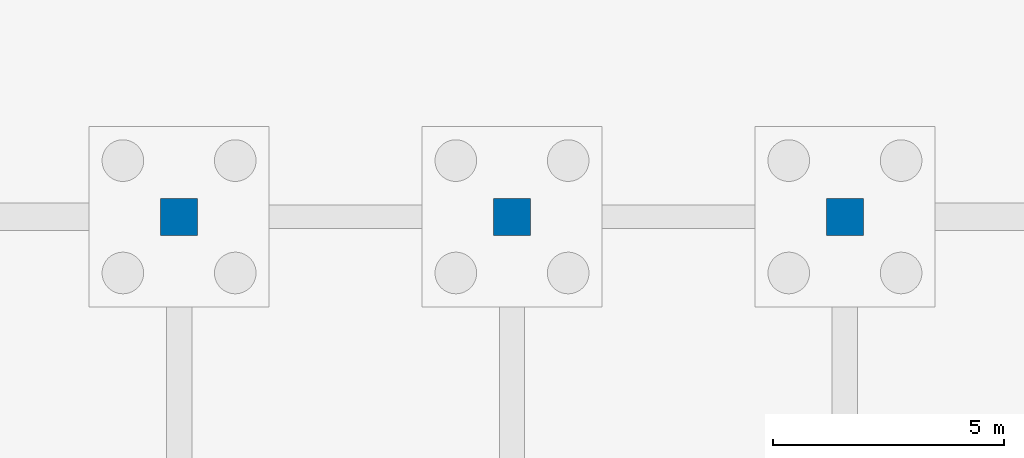
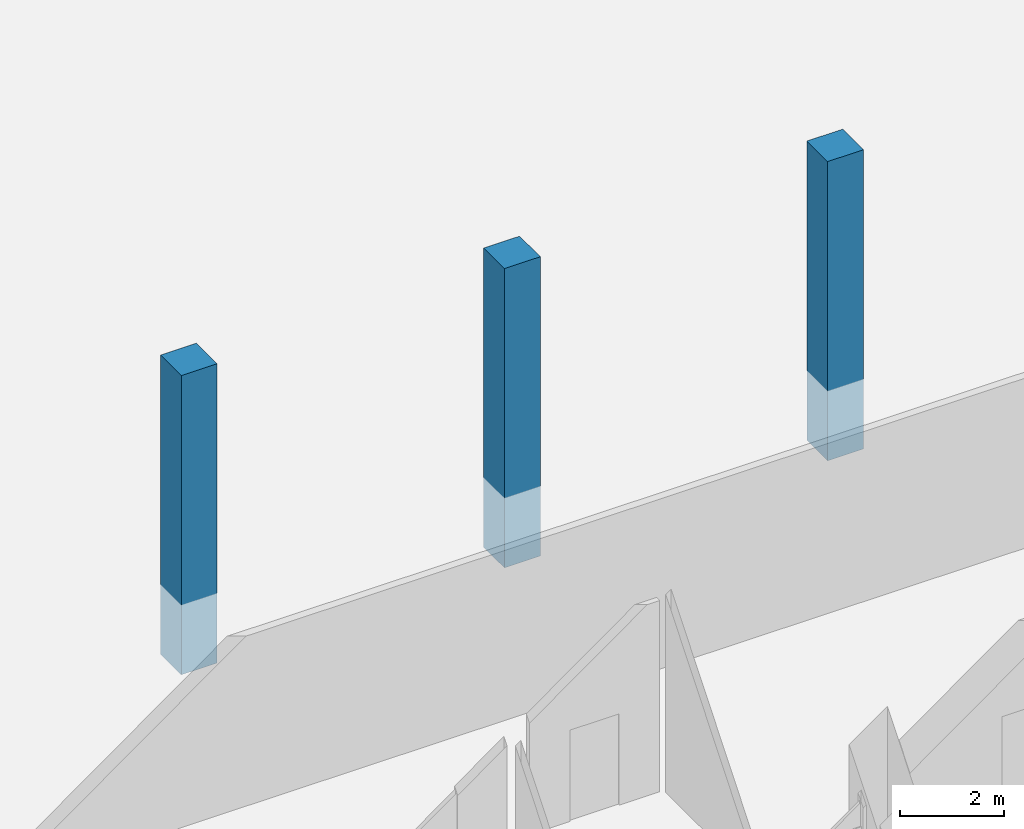
# One storey, part 12 of 192: 3 columns.
"""IFC4 building model written with IfcOpenShell, lengths in metres."""

from ifc_helpers import new_model, si_unit, direction, frame, origin, origin_2d, place, context, subcontext, project, spatial, rectangle, extrude, material, material_profile, profile_set, type_object, element, save


model = new_model("IFC4")

# Units and contexts
model_context = context("Model", 3, precision=1e-05, world=origin(), true_north=direction((0.0, 1.0)))
body_context = subcontext(model_context, "Body", "Model", "MODEL_VIEW")
ifc_project = project(units=[si_unit("LENGTHUNIT", "METRE"), si_unit("AREAUNIT", "SQUARE_METRE"), si_unit("VOLUMEUNIT", "CUBIC_METRE"), si_unit("PLANEANGLEUNIT", "RADIAN"), si_unit("MASSUNIT", "GRAM", prefix="KILO")], contexts=[model_context])

# Site, building, storey
site_placement = place(None, origin())
site = spatial("IfcSite", under=ifc_project, at=site_placement, CompositionType="ELEMENT")
building_placement = place(site_placement, origin())
building = spatial("IfcBuilding", under=site, at=building_placement, Name="Cendralis Lancet Convention Centre", CompositionType="ELEMENT")
storey_placement = place(building_placement, origin())
storey = spatial("IfcBuildingStorey", under=building, at=storey_placement, Name="L00", CompositionType="ELEMENT", Elevation=0.0)

# Columns
ifc_material = material(Name="Concrete G40 (C40/50)", Category="concrete")
ifc_material_profile = material_profile(ifc_material, rectangle(XDim=0.800048828125, YDim=0.800048828125, at=origin_2d()), Name="RC 800x800")
ifc_profile_set = profile_set([ifc_material_profile], Name="Concrete G40 (C40/50)")
column_type = type_object("IfcColumnType", Name="STR-COL-C05-INT", PredefinedType="COLUMN", material=ifc_profile_set)
for number, where, z_axis, x_axis, name in (
    (1, (36.0, 64.800048828125, -1.64990234375), (0.0, 0.0, 1.0), (1.0, 0.0, 0.0), "L00 Column C05 at 36.0,64.8"),
    (2, (43.199951171875, 64.800048828125, -1.64990234375), (0.0, 0.0, 1.0), (1.0, 0.0, 0.0), "L00 Column C05 at 43.2,64.8"),
    (3, (50.39990234375, 64.800048828125, -1.64990234375), (0.0, 0.0, 1.0), (1.0, 0.0, 0.0), "L00 Column C05 at 50.4,64.8"),
):
    element("IfcColumn", number, at=place(storey_placement, frame(where, z_axis=z_axis, x_axis=x_axis)), inside=storey, type_object=column_type, Name=name, PredefinedType="COLUMN", context=body_context, shape_type="SweptSolid", body=[
        extrude(rectangle(XDim=0.800048828125, YDim=0.800048828125, at=origin_2d()), origin(), (0.0, 0.0, 1.0), 7.0498046875),
    ])

save(model, "model.ifc")
